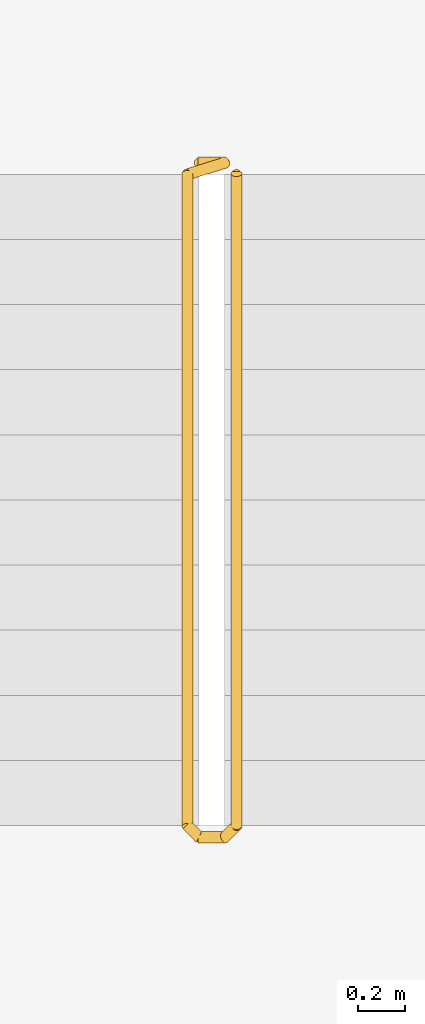
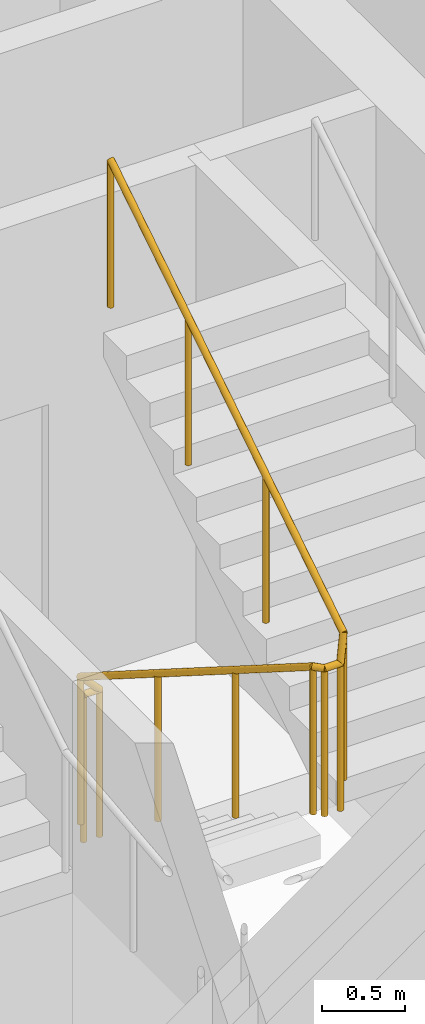
# One storey, part 11 of 11: 1 railing.
"""IFC4 building model written with IfcOpenShell, lengths in metres."""

from ifc_helpers import new_model, si_unit, direction, frame, origin, origin_2d, place, context, subcontext, project, spatial, circle, extrude, material, type_object, element, save


model = new_model("IFC4")

# Units and contexts
model_context = context("Model", 3, precision=1e-05, world=origin(), true_north=direction((0.0, 1.0)))
body_context = subcontext(model_context, "Body", "Model", "MODEL_VIEW")
ifc_project = project(units=[si_unit("LENGTHUNIT", "METRE"), si_unit("AREAUNIT", "SQUARE_METRE"), si_unit("VOLUMEUNIT", "CUBIC_METRE"), si_unit("PLANEANGLEUNIT", "RADIAN"), si_unit("MASSUNIT", "GRAM", prefix="KILO")], contexts=[model_context])

# Site, building, storey
site_placement = place(None, origin())
site = spatial("IfcSite", under=ifc_project, at=site_placement, CompositionType="ELEMENT")
building_placement = place(site_placement, origin())
building = spatial("IfcBuilding", under=site, at=building_placement, Name="Tessera Arch", CompositionType="ELEMENT")
storey_placement = place(building_placement, frame((0.0, 0.0, 222.800048828125)))
storey = spatial("IfcBuildingStorey", under=building, at=storey_placement, Name="L53", CompositionType="ELEMENT", Elevation=222.800048828125)

# Railing
ifc_material = material(Name="Painted steel balustrade", Category="steel")
railing_type = type_object("IfcRailingType", Name="Stair guard 1100", PredefinedType="GUARDRAIL", material=ifc_material)
railing_placement = place(storey_placement, frame((44.919921875, 43.6298828125, 0.0)))
element("IfcRailing", 1, at=railing_placement, inside=storey, type_object=railing_type, Name="L53 S1c stair guard 1", PredefinedType="GUARDRAIL", context=body_context, shape_type="SweptSolid", body=[
    extrude(circle(Radius=0.02392578125, at=origin_2d()), frame((-0.00390625, 0.0, 1.076171875), z_axis=(1.0, 0.0, 0.0), x_axis=(0.0, 1.0, 0.0)), (0.0, 0.0, 1.0), 0.1181640625),
    extrude(circle(Radius=0.02392578125, at=origin_2d()), frame((0.11279296875, 0.000732421875, 1.0732421875), z_axis=(-0.65574896516, -0.204233265485, 0.726830150696), x_axis=(0.297361876254, -0.954764847777, 0.0)), (0.0, 0.0, 1.0), 0.251953125),
    extrude(circle(Radius=0.02392578125, at=origin_2d()), frame((-0.0498046875, -0.04638671875, 1.251220703125), z_axis=(0.0, -0.844908973607, 0.534910110503), x_axis=(1.0, 0.0, 0.0)), (0.0, 0.0, 1.0), 3.322021484375),
    extrude(circle(Radius=0.02392578125, at=origin_2d()), frame((-0.052734375, -2.846923828125, 3.02587890625), z_axis=(0.705375805398, -0.708833529934, 0.0), x_axis=(0.708833529934, 0.705375805398, 0.0)), (0.0, 0.0, 1.0), 0.07861328125),
    extrude(circle(Radius=0.02392578125, at=origin_2d()), frame((-0.00390625, -2.89990234375, 3.02587890625), z_axis=(1.0, 0.0, 0.0), x_axis=(0.0, 1.0, 0.0)), (0.0, 0.0, 1.0), 0.1181640625),
    extrude(circle(Radius=0.02392578125, at=origin_2d()), frame((0.109130859375, -2.90087890625, 3.022216796875), z_axis=(0.262233686654, 0.262233686654, 0.928691007369), x_axis=(-0.707106781187, 0.707106781187, 0.0)), (0.0, 0.0, 1.0), 0.198974609375),
    extrude(circle(Radius=0.02392578125, at=origin_2d()), frame((0.16015625, -2.853271484375, 3.201171875), z_axis=(0.0, 0.844908973607, 0.534910110503), x_axis=(-1.0, 0.0, 0.0)), (0.0, 0.0, 1.0), 3.322021484375),
    extrude(circle(Radius=0.02099609375, at=origin_2d()), origin(), (0.0, 0.0, 1.0), 1.06396484375),
    extrude(circle(Radius=0.02099609375, at=origin_2d()), frame((0.110107421875, 0.0, 0.0)), (0.0, 0.0, 1.0), 1.06396484375),
    extrude(circle(Radius=0.02099609375, at=origin_2d()), frame((-0.0498046875, -0.0498046875, 0.17724609375)), (0.0, 0.0, 1.0), 1.06396484375),
    extrude(circle(Radius=0.02099609375, at=origin_2d()), frame((-0.0498046875, -0.983154296875, 0.76806640625)), (0.0, 0.0, 1.0), 1.06396484375),
    extrude(circle(Radius=0.02099609375, at=origin_2d()), frame((-0.0498046875, -1.91650390625, 1.359130859375)), (0.0, 0.0, 1.0), 1.06396484375),
    extrude(circle(Radius=0.02099609375, at=origin_2d()), frame((-0.0498046875, -2.849853515625, 1.949951171875)), (0.0, 0.0, 1.0), 1.06396484375),
    extrude(circle(Radius=0.02099609375, at=origin_2d()), frame((0.0, -2.89990234375, 1.949951171875)), (0.0, 0.0, 1.0), 1.06396484375),
    extrude(circle(Radius=0.02099609375, at=origin_2d()), frame((0.110107421875, -2.89990234375, 1.949951171875)), (0.0, 0.0, 1.0), 1.06396484375),
    extrude(circle(Radius=0.02099609375, at=origin_2d()), frame((0.16015625, -2.849853515625, 2.127197265625)), (0.0, 0.0, 1.0), 1.06396484375),
    extrude(circle(Radius=0.02099609375, at=origin_2d()), frame((0.16015625, -1.91650390625, 2.718017578125)), (0.0, 0.0, 1.0), 1.06396484375),
    extrude(circle(Radius=0.02099609375, at=origin_2d()), frame((0.16015625, -0.983154296875, 3.30908203125)), (0.0, 0.0, 1.0), 1.06396484375),
    extrude(circle(Radius=0.02099609375, at=origin_2d()), frame((0.16015625, -0.0498046875, 3.89990234375)), (0.0, 0.0, 1.0), 1.06396484375),
])

save(model, "model.ifc")
